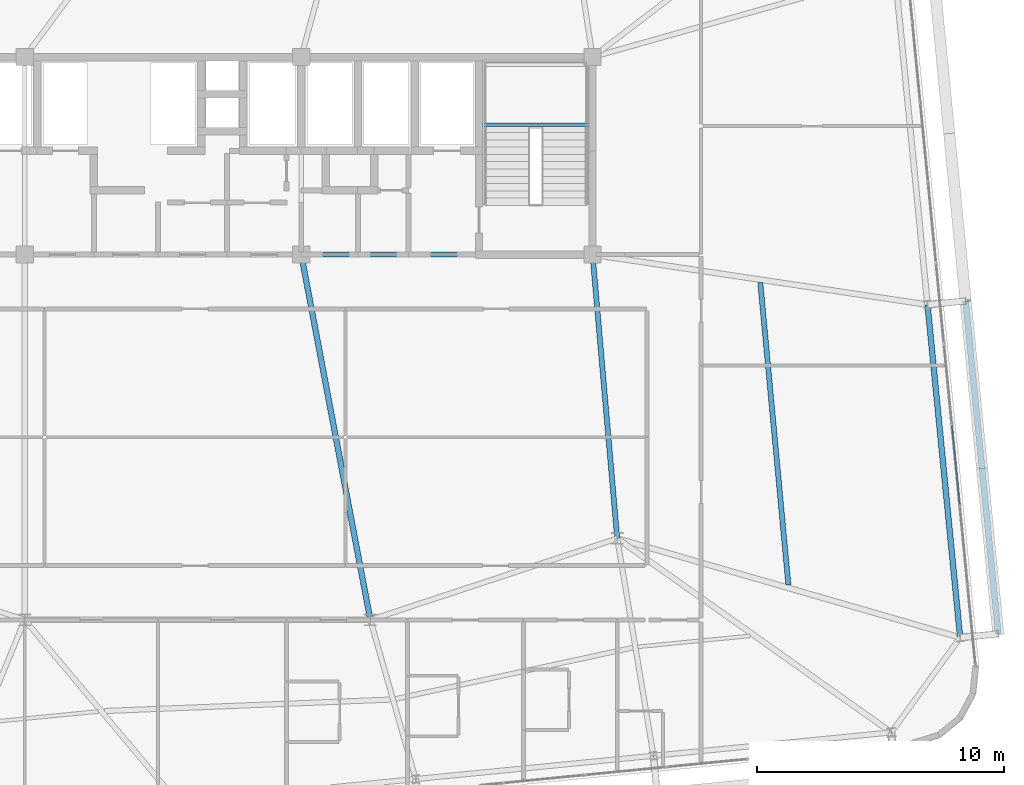
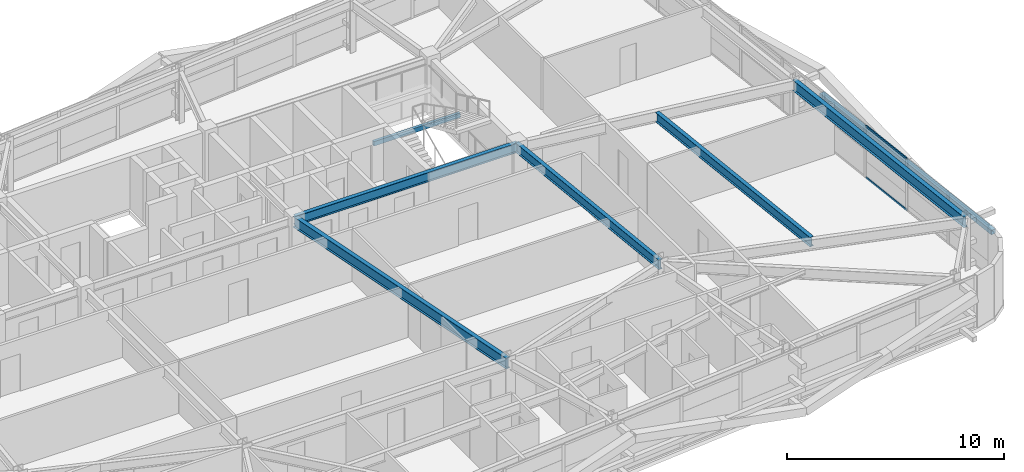
# One storey, part 23 of 54: 6 beams, 3 members, 1 element without a shape of its own.
"""IFC4 building model written with IfcOpenShell, lengths in metres."""

from ifc_helpers import new_model, si_unit, direction, frame, origin, origin_2d, place, context, subcontext, project, spatial, hollow_rectangle, i_section, extrude, source, transform, mapped, material, layer, layer_set, material_profile, profile_set, type_object, element, aggregate, save


model = new_model("IFC4")

# Units and contexts
model_context = context("Model", 3, precision=1e-05, world=origin(), true_north=direction((0.0, 1.0)))
body_context = subcontext(model_context, "Body", "Model", "MODEL_VIEW")
ifc_project = project(units=[si_unit("LENGTHUNIT", "METRE"), si_unit("AREAUNIT", "SQUARE_METRE"), si_unit("VOLUMEUNIT", "CUBIC_METRE"), si_unit("PLANEANGLEUNIT", "RADIAN"), si_unit("MASSUNIT", "GRAM", prefix="KILO")], contexts=[model_context])

# Site, building, storey
site_placement = place(None, origin())
site = spatial("IfcSite", under=ifc_project, at=site_placement, CompositionType="ELEMENT")
building_placement = place(site_placement, origin())
building = spatial("IfcBuilding", under=site, at=building_placement, Name="Taldren Reach Tower", CompositionType="ELEMENT")
storey_placement = place(building_placement, frame((0.0, 0.0, 99.75)))
storey = spatial("IfcBuildingStorey", under=building, at=storey_placement, Name="L30", CompositionType="ELEMENT", Elevation=99.75)

# Beams
ifc_material_1 = material(Name="Steel Gr 350 (350PLUS)", Category="steel")
ifc_material_profile_1 = material_profile(ifc_material_1, i_section(OverallWidth=0.208984375, OverallDepth=0.532958984375, WebThickness=0.01025390625, FlangeThickness=0.015625, at=origin_2d()), Name="530UB92.4")
ifc_profile_set_1 = profile_set([ifc_material_profile_1], Name="Steel Gr 350 (350PLUS)")
beam_type_1 = type_object("IfcBeamType", Name="BM-UB530A", PredefinedType="BEAM", material=ifc_profile_set_1)
shared_shape_1 = source(origin(), body_context, "Body", "SweptSolid", [
    extrude(i_section(OverallWidth=0.208984375, OverallDepth=0.532958984375, WebThickness=0.01025390625, FlangeThickness=0.015625, at=origin_2d()), origin(), (0.0, 0.0, 1.0), 11.800048828125),
])
beam_1_placement = place(storey_placement, frame((39.199951171875, 24.0, 2.66357421875), z_axis=(1.0, 0.0, 0.0), x_axis=(0.0, 1.0, 0.0)))
element("IfcBeam", 1, at=beam_1_placement, inside=storey, type_object=beam_type_1, Name="Core-spine girder L30-SP03", PredefinedType="BEAM", context=body_context, shape_type="MappedRepresentation", body=[
    mapped(shared_shape_1, transform((0.0, 0.0, 0.0), scale=1.0)),
])
shared_shape_2 = source(origin(), body_context, "Body", "SweptSolid", [
    extrude(i_section(OverallWidth=0.208984375, OverallDepth=0.532958984375, WebThickness=0.01025390625, FlangeThickness=0.015625, at=origin_2d()), origin(), (0.0, 0.0, 1.0), 11.54345703125),
])
beam_2_placement = place(storey_placement, frame((52.0, 12.5, 2.66357421875), z_axis=(-0.086629616365, 0.996240588196, 0.0), x_axis=(-0.996240588196, -0.086629616365, 0.0)))
element("IfcBeam", 2, at=beam_2_placement, inside=storey, type_object=beam_type_1, Name="Core-spine girder L30-SP13", PredefinedType="BEAM", context=body_context, shape_type="MappedRepresentation", body=[
    mapped(shared_shape_2, transform((0.0, 0.0, 0.0), scale=1.0)),
])
ifc_material_profile_2 = material_profile(ifc_material_1, i_section(OverallWidth=0.22802734375, OverallDepth=0.60205078125, WebThickness=0.010498046875, FlangeThickness=0.014892578125, at=origin_2d()), Name="610UB101")
ifc_profile_set_2 = profile_set([ifc_material_profile_2], Name="Steel Gr 350 (350PLUS)")
beam_type_2 = type_object("IfcBeamType", Name="BM-UB610B", PredefinedType="BEAM", material=ifc_profile_set_2)
shared_shape_3 = source(origin(), body_context, "Body", "SweptSolid", [
    extrude(i_section(OverallWidth=0.22802734375, OverallDepth=0.60205078125, WebThickness=0.010498046875, FlangeThickness=0.014892578125, at=origin_2d()), origin(), (0.0, 0.0, 1.0), 15.0625),
])
beam_3_placement = place(storey_placement, frame((39.199951171875, 24.0, 2.62890625), z_axis=(0.185894205668, -0.982569765614, 0.0), x_axis=(0.982569765614, 0.185894205668, 0.0)))
element("IfcBeam", 3, at=beam_3_placement, inside=storey, type_object=beam_type_2, Name="Core-spine girder L30-SP15", PredefinedType="BEAM", context=body_context, shape_type="MappedRepresentation", body=[
    mapped(shared_shape_3, transform((0.0, 0.0, 0.0), scale=1.0)),
])
shared_shape_4 = source(origin(), body_context, "Body", "SweptSolid", [
    extrude(i_section(OverallWidth=0.22802734375, OverallDepth=0.60205078125, WebThickness=0.010498046875, FlangeThickness=0.014892578125, at=origin_2d()), origin(), (0.0, 0.0, 1.0), 13.550048828125),
])
beam_4_placement = place(storey_placement, frame((65.8916015625, 8.483642578125, 2.62890625), z_axis=(-0.097566175139, 0.995229039703, 0.0), x_axis=(-0.995229039703, -0.097566175139, 0.0)))
element("IfcBeam", 4, at=beam_4_placement, inside=storey, type_object=beam_type_2, Name="Perimeter gable girder B2 E1-E2 L30", PredefinedType="BEAM", context=body_context, shape_type="MappedRepresentation", body=[
    mapped(shared_shape_4, transform((0.0, 0.0, 0.0), scale=1.0)),
])
shared_shape_5 = source(origin(), body_context, "Body", "SweptSolid", [
    extrude(i_section(OverallWidth=0.208984375, OverallDepth=0.532958984375, WebThickness=0.01025390625, FlangeThickness=0.015625, at=origin_2d()), origin(), (0.0, 0.0, 1.0), 12.306396484375),
])
beam_5_placement = place(storey_placement, frame((58.9345703125, 10.61376953125, 2.66357421875), z_axis=(-0.092546068089, 0.995708403741, 0.0), x_axis=(-0.995708403741, -0.092546068089, 0.0)))
element("IfcBeam", 5, at=beam_5_placement, inside=storey, type_object=beam_type_1, Name="Secondary floor beam B2 J7 L30", PredefinedType="BEAM", context=body_context, shape_type="MappedRepresentation", body=[
    mapped(shared_shape_5, transform((0.0, 0.0, 0.0), scale=1.0)),
])

# Member
ifc_material_2 = material(Name="Steel Gr 350 (C350L0)", Category="steel")
ifc_material_profile_3 = material_profile(ifc_material_2, hollow_rectangle(XDim=0.25, YDim=0.25, WallThickness=0.010009765625, at=origin_2d()), Name="250x250x10.0SHS")
ifc_profile_set_3 = profile_set([ifc_material_profile_3], Name="Steel Gr 350 (C350L0)")
member_type_1 = type_object("IfcMemberType", Name="MB-POST250", PredefinedType="POST", material=ifc_profile_set_3)
shared_shape_6 = source(origin(), body_context, "Body", "SweptSolid", [
    extrude(hollow_rectangle(XDim=0.25, YDim=0.25, WallThickness=0.010009765625, at=origin_2d()), origin(), (0.0, 0.0, 1.0), 13.550048828125),
])
member_1_placement = place(storey_placement, frame((67.434326171875, 8.634765625, 1.43505859375), z_axis=(-0.097584021339, 0.995227290009, 0.0), x_axis=(-0.995227290009, -0.097584021339, 0.0)))
element("IfcMember", 6, at=member_1_placement, inside=storey, type_object=member_type_1, Name="Exoskeleton mid-height ring chord B2-E1 L30", PredefinedType="POST", context=body_context, shape_type="MappedRepresentation", body=[
    mapped(shared_shape_6, transform((0.0, 0.0, 0.0), scale=1.0)),
])

# Curtain wall, members
ifc_material_3 = material(Name="Aluminium and Low-E Glass Unitised System", Category="aluminium")
ifc_layer = layer(ifc_material_3, 0.159912109375)
ifc_layer_set = layer_set([ifc_layer], Name="Aluminium and Low-E Glass Unitised System")
curtain_wall_type = type_object("IfcCurtainWallType", Name="CW-SYS-3", PredefinedType="NOTDEFINED", material=ifc_layer_set)
curtain_wall_placement = place(storey_placement, origin())
curtain_wall = element("IfcCurtainWall", 7, at=curtain_wall_placement, inside=storey, type_object=curtain_wall_type, Name="Unitised curtain wall CW-L30-E", PredefinedType="NOTDEFINED")
ifc_material_4 = material(Name="Anodised Aluminium 6063-T6", Category="aluminium")
ifc_material_profile_4 = material_profile(ifc_material_4, hollow_rectangle(XDim=0.054931640625, YDim=0.1201171875, WallThickness=0.0029296875, at=origin_2d()), Name="ALU-120x55x3RHS")
ifc_profile_set_4 = profile_set([ifc_material_profile_4], Name="Anodised Aluminium 6063-T6")
member_type_2 = type_object("IfcMemberType", Name="CW-TRN-135", PredefinedType="USERDEFINED", material=ifc_profile_set_4)
shared_shape_7 = source(origin(), body_context, "Body", "SweptSolid", [
    extrude(hollow_rectangle(XDim=0.054931640625, YDim=0.1201171875, WallThickness=0.0029296875, at=origin_2d()), origin(), (0.0, 0.0, 1.0), 3.212646484375),
])
member_2_placement = place(storey_placement, frame((65.87353515625, 13.895751953125, 0.027587890625), z_axis=(-0.097577327663, 0.995227946315, 0.0), x_axis=(-0.995227946315, -0.097577327663, 0.0)))
member_2 = element("IfcMember", 8, at=member_2_placement, type_object=member_type_2, Name="CW-3 transom 3.1", ObjectType="TRANSOM", PredefinedType="USERDEFINED", context=body_context, shape_type="MappedRepresentation", body=[
    mapped(shared_shape_7, transform((0.0, 0.0, 0.0), scale=1.0)),
])
member_3_placement = place(storey_placement, frame((65.87353515625, 13.895751953125, 2.902587890625), z_axis=(-0.097577327663, 0.995227946315, 0.0), x_axis=(-0.995227946315, -0.097577327663, 0.0)))
member_3 = element("IfcMember", 9, at=member_3_placement, type_object=member_type_2, Name="CW-3 transom 3.2", ObjectType="TRANSOM", PredefinedType="USERDEFINED", context=body_context, shape_type="MappedRepresentation", body=[
    mapped(shared_shape_7, transform((0.0, 0.0, 0.0), scale=1.0)),
])
aggregate(curtain_wall, [member_2, member_3])

# Beam
ifc_material_profile_5 = material_profile(ifc_material_2, hollow_rectangle(XDim=0.14990234375, YDim=0.25, WallThickness=0.009033203125, at=origin_2d()), Name="250x150x9.0RHS")
ifc_profile_set_5 = profile_set([ifc_material_profile_5], Name="Steel Gr 350 (C350L0)")
beam_type_3 = type_object("IfcBeamType", Name="LN-RHS250", PredefinedType="LINTEL", material=ifc_profile_set_5)
shared_shape_8 = source(origin(), body_context, "Body", "SweptSolid", [
    extrude(hollow_rectangle(XDim=0.14990234375, YDim=0.25, WallThickness=0.009033203125, at=origin_2d()), origin(), (0.0, 0.0, 1.0), 4.60009765625),
])
beam_6_placement = place(storey_placement, frame((46.39990234375, 29.2548828125, 1.27001953125), z_axis=(1.0, 0.0, 0.0), x_axis=(0.0, 1.0, 0.0)))
element("IfcBeam", 10, at=beam_6_placement, inside=storey, type_object=beam_type_3, Name="Stair half-landing support beam ST2-L30-1", PredefinedType="LINTEL", context=body_context, shape_type="MappedRepresentation", body=[
    mapped(shared_shape_8, transform((0.0, 0.0, 0.0), scale=1.0)),
])

save(model, "model.ifc")
